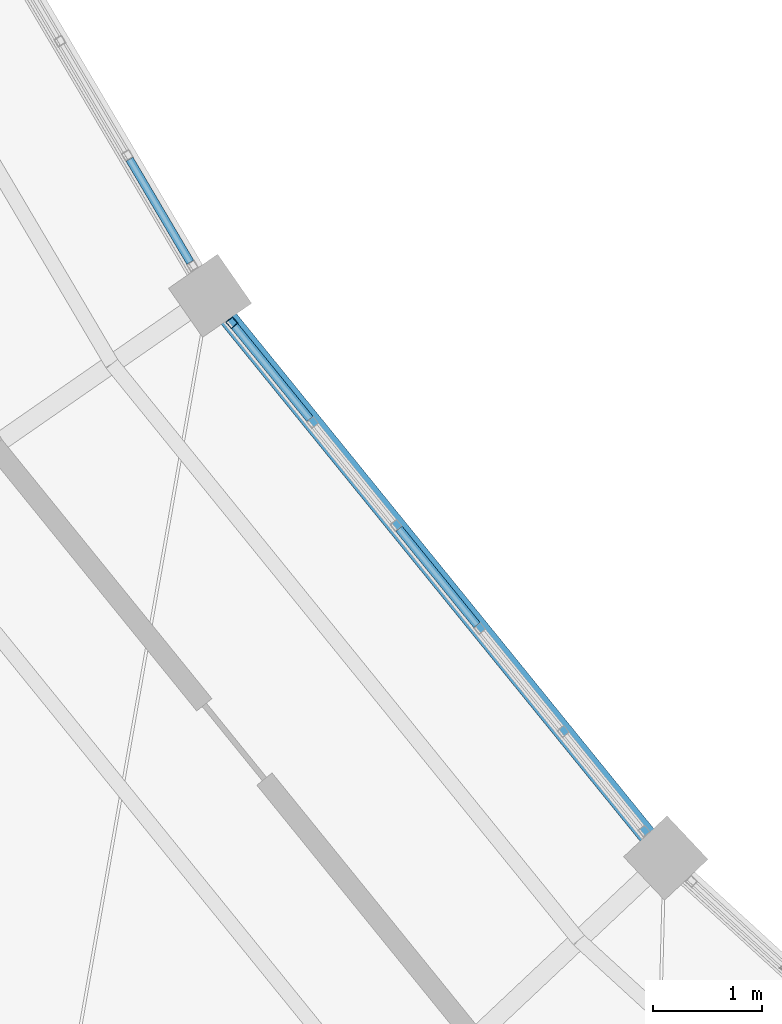
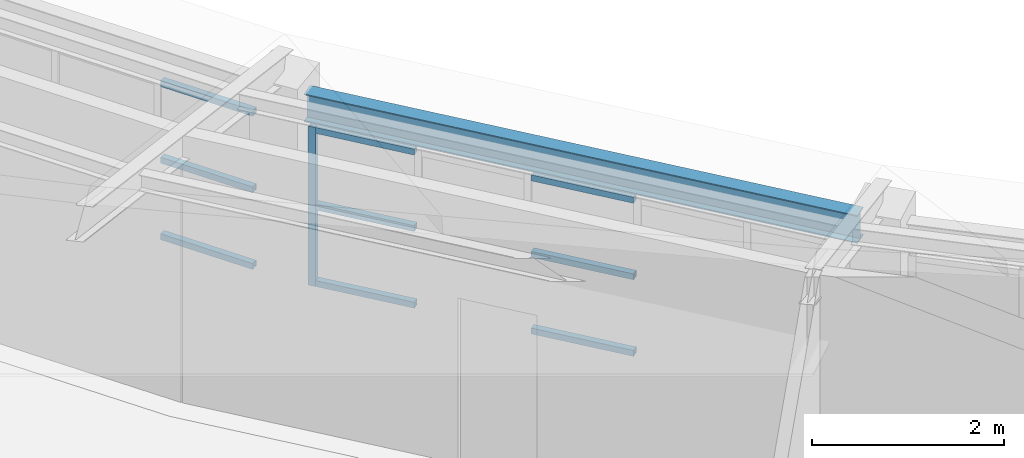
# One storey, part 19 of 149: 10 members, 1 beam, 2 elements without a shape of their own.
"""IFC4 building model written with IfcOpenShell, lengths in metres."""

from ifc_helpers import new_model, si_unit, direction, frame, origin, origin_2d, place, context, subcontext, project, spatial, hollow_rectangle, i_section, extrude, material, material_profile, profile_set, type_object, element, aggregate, save


model = new_model("IFC4")

# Units and contexts
model_context = context("Model", 3, precision=1e-05, world=origin(), true_north=direction((0.0, 1.0)))
body_context = subcontext(model_context, "Body", "Model", "MODEL_VIEW")
ifc_project = project(units=[si_unit("LENGTHUNIT", "METRE"), si_unit("AREAUNIT", "SQUARE_METRE"), si_unit("VOLUMEUNIT", "CUBIC_METRE"), si_unit("PLANEANGLEUNIT", "RADIAN"), si_unit("MASSUNIT", "GRAM", prefix="KILO")], contexts=[model_context])

# Site, building, storey
site_placement = place(None, origin())
site = spatial("IfcSite", under=ifc_project, at=site_placement, CompositionType="ELEMENT")
building_placement = place(site_placement, origin())
building = spatial("IfcBuilding", under=site, at=building_placement, Name="Celadon Cloister-Ring School", CompositionType="ELEMENT")
storey_placement = place(building_placement, frame((0.0, 0.0, 12.5)))
storey = spatial("IfcBuildingStorey", under=building, at=storey_placement, Name="L03", CompositionType="ELEMENT", Elevation=12.5)

# Curtain wall, member
ifc_material_1 = material(Name="Aluminium EN AW-6063 T6", Category="aluminium")
curtain_wall_type = type_object("IfcCurtainWallType", Name="CW-02", PredefinedType="USERDEFINED", material=ifc_material_1)
curtain_wall_1_placement = place(storey_placement, origin())
curtain_wall_1 = element("IfcCurtainWall", 1, at=curtain_wall_1_placement, inside=storey, type_object=curtain_wall_type, Name="Curtain Wall 0055", ObjectType="CURTAIN WALL", PredefinedType="USERDEFINED")
ifc_material_2 = material(Name="Aluminium EN AW-6063 T6", Category="aluminium")
ifc_material_profile_1 = material_profile(ifc_material_2, hollow_rectangle(XDim=0.080078125, YDim=0.080078125, WallThickness=0.00390625, at=origin_2d()), Name="RHS80X80X4")
ifc_profile_set_1 = profile_set([ifc_material_profile_1], Name="Aluminium EN AW-6063 T6")
member_type_1 = type_object("IfcMemberType", Name="CM-03", PredefinedType="MULLION", material=ifc_profile_set_1)
member_1_placement = place(storey_placement, frame((50.23828125, 33.0849609375, 0.0), z_axis=(0.0, 0.0, 1.0), x_axis=(0.776779557155, 0.62977259355, 0.0)))
member_1 = element("IfcMember", 2, at=member_1_placement, type_object=member_type_1, Name="CW-02 mullion 1", PredefinedType="MULLION", context=body_context, shape_type="SweptSolid", body=[
    extrude(hollow_rectangle(XDim=0.080078125, YDim=0.080078125, WallThickness=0.00390625, at=origin_2d()), origin(), (0.0, 0.0, 1.0), 2.02001953125),
])

# Curtain wall, members
curtain_wall_2_placement = place(storey_placement, origin())
curtain_wall_2 = element("IfcCurtainWall", 3, at=curtain_wall_2_placement, inside=storey, type_object=curtain_wall_type, Name="Curtain Wall 0054", ObjectType="CURTAIN WALL", PredefinedType="USERDEFINED")
ifc_material_3 = material(Name="Aluminium EN AW-6063 T6", Category="aluminium")
ifc_material_profile_2 = material_profile(ifc_material_3, hollow_rectangle(XDim=0.074951171875, YDim=0.074951171875, WallThickness=0.00390625, at=origin_2d()), Name="RHS75X75X4")
ifc_profile_set_2 = profile_set([ifc_material_profile_2], Name="Aluminium EN AW-6063 T6")
member_type_2 = type_object("IfcMemberType", Name="CTM-03", PredefinedType="USERDEFINED", material=ifc_profile_set_2)
member_2_placement = place(storey_placement, frame((49.295654296875, 34.591064453125, 0.03759765625), z_axis=(0.50799766404, -0.861358446484, 0.0), x_axis=(0.861358446484, 0.50799766404, 0.0)))
member_2 = element("IfcMember", 4, at=member_2_placement, type_object=member_type_2, Name="CW-02 transom 5.1", ObjectType="TRANSOM", PredefinedType="USERDEFINED", context=body_context, shape_type="SweptSolid", body=[
    extrude(hollow_rectangle(XDim=0.074951171875, YDim=0.074951171875, WallThickness=0.00390625, at=origin_2d()), origin(), (0.0, 0.0, 1.0), 1.10205078125),
])
member_3_placement = place(storey_placement, frame((49.295654296875, 34.591064453125, 1.010009765625), z_axis=(0.50799766404, -0.861358446484, 0.0), x_axis=(0.861358446484, 0.50799766404, 0.0)))
member_3 = element("IfcMember", 5, at=member_3_placement, type_object=member_type_2, Name="CW-02 transom 5.2", ObjectType="TRANSOM", PredefinedType="USERDEFINED", context=body_context, shape_type="SweptSolid", body=[
    extrude(hollow_rectangle(XDim=0.074951171875, YDim=0.074951171875, WallThickness=0.00390625, at=origin_2d()), origin(), (0.0, 0.0, 1.0), 1.10205078125),
])
member_4_placement = place(storey_placement, frame((49.295654296875, 34.591064453125, 1.982421875), z_axis=(0.50799766404, -0.861358446484, 0.0), x_axis=(0.861358446484, 0.50799766404, 0.0)))
member_4 = element("IfcMember", 6, at=member_4_placement, type_object=member_type_2, Name="CW-02 transom 5.3", ObjectType="TRANSOM", PredefinedType="USERDEFINED", context=body_context, shape_type="SweptSolid", body=[
    extrude(hollow_rectangle(XDim=0.074951171875, YDim=0.074951171875, WallThickness=0.00390625, at=origin_2d()), origin(), (0.0, 0.0, 1.0), 1.10205078125),
])
aggregate(curtain_wall_2, [member_2, member_3, member_4])

# Member
member_5_placement = place(storey_placement, frame((50.263427734375, 33.053955078125, 0.03759765625), z_axis=(0.629708012698, -0.776831911513, 0.0), x_axis=(0.776831911513, 0.629708012698, 0.0)))
member_5 = element("IfcMember", 7, at=member_5_placement, type_object=member_type_2, Name="CW-02 transom 1.1", ObjectType="TRANSOM", PredefinedType="USERDEFINED", context=body_context, shape_type="SweptSolid", body=[
    extrude(hollow_rectangle(XDim=0.074951171875, YDim=0.074951171875, WallThickness=0.00390625, at=origin_2d()), origin(), (0.0, 0.0, 1.0), 1.101806640625),
])

member_6_placement = place(storey_placement, frame((50.263427734375, 33.053955078125, 1.010009765625), z_axis=(0.629708012698, -0.776831911513, 0.0), x_axis=(0.776831911513, 0.629708012698, 0.0)))
member_6 = element("IfcMember", 8, at=member_6_placement, type_object=member_type_2, Name="CW-02 transom 1.2", ObjectType="TRANSOM", PredefinedType="USERDEFINED", context=body_context, shape_type="SweptSolid", body=[
    extrude(hollow_rectangle(XDim=0.074951171875, YDim=0.074951171875, WallThickness=0.00390625, at=origin_2d()), origin(), (0.0, 0.0, 1.0), 1.101806640625),
])

member_7_placement = place(storey_placement, frame((50.263427734375, 33.053955078125, 1.982421875), z_axis=(0.629708012698, -0.776831911513, 0.0), x_axis=(0.776831911513, 0.629708012698, 0.0)))
member_7 = element("IfcMember", 9, at=member_7_placement, type_object=member_type_2, Name="CW-02 transom 1.3", ObjectType="TRANSOM", PredefinedType="USERDEFINED", context=body_context, shape_type="SweptSolid", body=[
    extrude(hollow_rectangle(XDim=0.074951171875, YDim=0.074951171875, WallThickness=0.00390625, at=origin_2d()), origin(), (0.0, 0.0, 1.0), 1.101806640625),
])

member_8_placement = place(storey_placement, frame((51.777099609375, 31.18701171875, 0.03759765625), z_axis=(0.6297147847, -0.776826422008, 0.0), x_axis=(0.776826422008, 0.6297147847, 0.0)))
member_8 = element("IfcMember", 10, at=member_8_placement, type_object=member_type_2, Name="CW-02 transom 3.1", ObjectType="TRANSOM", PredefinedType="USERDEFINED", context=body_context, shape_type="SweptSolid", body=[
    extrude(hollow_rectangle(XDim=0.074951171875, YDim=0.074951171875, WallThickness=0.00390625, at=origin_2d()), origin(), (0.0, 0.0, 1.0), 1.141845703125),
])

member_9_placement = place(storey_placement, frame((51.777099609375, 31.18701171875, 1.010009765625), z_axis=(0.6297147847, -0.776826422008, 0.0), x_axis=(0.776826422008, 0.6297147847, 0.0)))
member_9 = element("IfcMember", 11, at=member_9_placement, type_object=member_type_2, Name="CW-02 transom 3.2", ObjectType="TRANSOM", PredefinedType="USERDEFINED", context=body_context, shape_type="SweptSolid", body=[
    extrude(hollow_rectangle(XDim=0.074951171875, YDim=0.074951171875, WallThickness=0.00390625, at=origin_2d()), origin(), (0.0, 0.0, 1.0), 1.141845703125),
])

member_10_placement = place(storey_placement, frame((51.777099609375, 31.18701171875, 1.982421875), z_axis=(0.6297147847, -0.776826422008, 0.0), x_axis=(0.776826422008, 0.6297147847, 0.0)))
member_10 = element("IfcMember", 12, at=member_10_placement, type_object=member_type_2, Name="CW-02 transom 3.3", ObjectType="TRANSOM", PredefinedType="USERDEFINED", context=body_context, shape_type="SweptSolid", body=[
    extrude(hollow_rectangle(XDim=0.074951171875, YDim=0.074951171875, WallThickness=0.00390625, at=origin_2d()), origin(), (0.0, 0.0, 1.0), 1.141845703125),
])

aggregate(curtain_wall_1, [member_1, member_5, member_6, member_7, member_8, member_9, member_10])

# Beam
ifc_material_4 = material(Name="Structural steel S355JR", Category="steel")
ifc_material_profile_3 = material_profile(ifc_material_4, i_section(OverallWidth=0.1708984375, OverallDepth=0.35498046875, WebThickness=0.007080078125, FlangeThickness=0.01171875, at=origin_2d()), Name="W360X51")
ifc_profile_set_3 = profile_set([ifc_material_profile_3], Name="Structural steel S355JR")
beam_type = type_object("IfcBeamType", Name="GT-08", PredefinedType="USERDEFINED", material=ifc_profile_set_3)
beam_placement = place(storey_placement, frame((50.195068359375, 33.138916015625, 2.27197265625), z_axis=(0.629626347121, -0.776898103364, 0.0), x_axis=(0.776898103364, 0.629626347121, 0.0)))
element("IfcBeam", 13, at=beam_placement, inside=storey, type_object=beam_type, Name="Beam 0547", ObjectType="GIRDER", PredefinedType="USERDEFINED", context=body_context, shape_type="SweptSolid", body=[
    extrude(i_section(OverallWidth=0.1708984375, OverallDepth=0.35498046875, WebThickness=0.007080078125, FlangeThickness=0.01171875, at=origin_2d()), origin(), (0.0, 0.0, 1.0), 6.166748046875),
])

save(model, "model.ifc")
